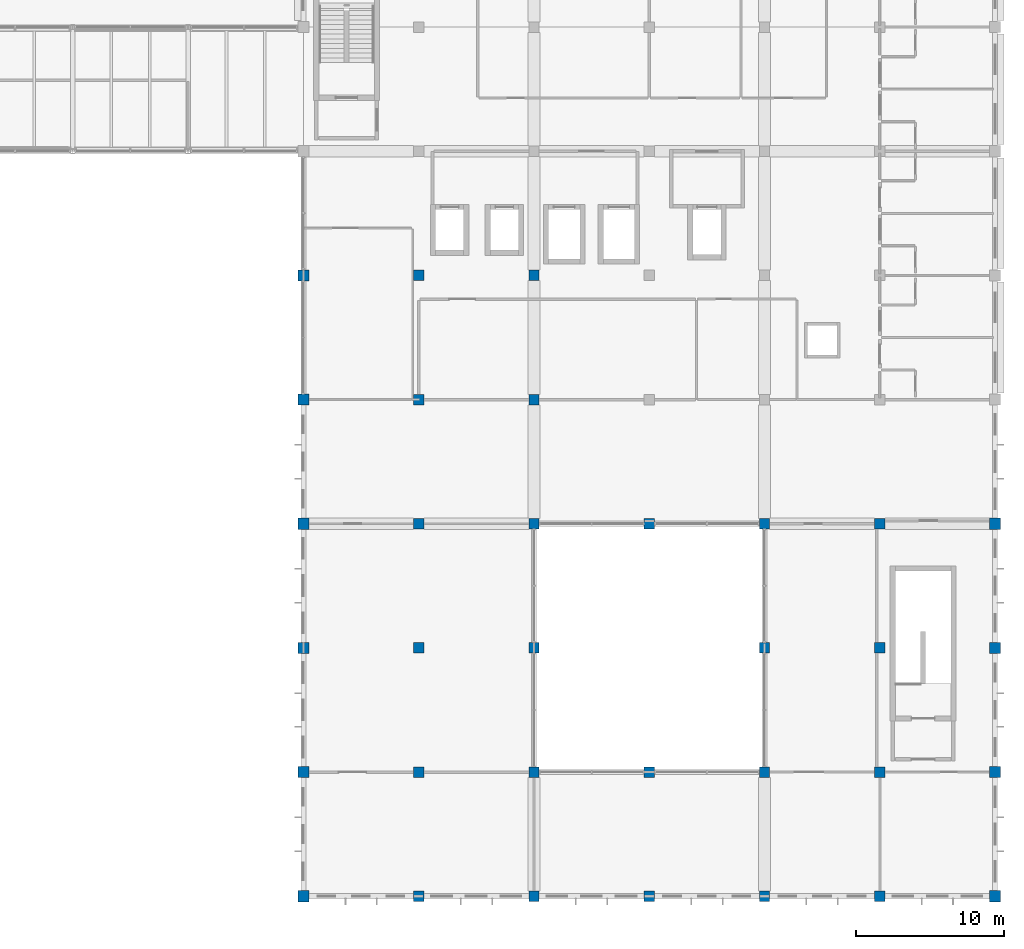
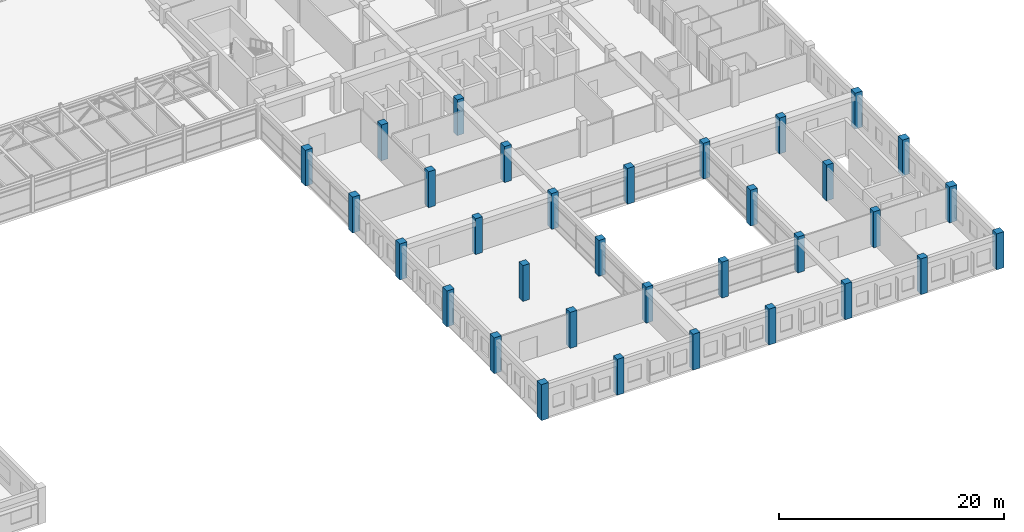
# One storey, part 3 of 72: 33 columns.
"""IFC4 building model written with IfcOpenShell, lengths in metres."""

from ifc_helpers import new_model, si_unit, direction, frame, origin, origin_2d, place, context, subcontext, project, spatial, rectangle, extrude, material, material_profile, profile_set, type_object, element, save


model = new_model("IFC4")

# Units and contexts
model_context = context("Model", 3, precision=1e-05, world=origin(), true_north=direction((0.0, 1.0)))
body_context = subcontext(model_context, "Body", "Model", "MODEL_VIEW")
ifc_project = project(units=[si_unit("LENGTHUNIT", "METRE"), si_unit("AREAUNIT", "SQUARE_METRE"), si_unit("VOLUMEUNIT", "CUBIC_METRE"), si_unit("PLANEANGLEUNIT", "RADIAN"), si_unit("MASSUNIT", "GRAM", prefix="KILO"), si_unit("THERMODYNAMICTEMPERATUREUNIT", "KELVIN"), si_unit("POWERUNIT", "WATT")], contexts=[model_context])

# Site, building, storey
site_placement = place(None, origin())
site = spatial("IfcSite", under=ifc_project, at=site_placement, CompositionType="ELEMENT")
building_placement = place(site_placement, origin())
building = spatial("IfcBuilding", under=site, at=building_placement, Name="Srebrne Nadtorze General Hospital", CompositionType="ELEMENT")
storey_placement = place(building_placement, frame((0.0, 0.0, 22.199951171875)))
storey = spatial("IfcBuildingStorey", under=building, at=storey_placement, Name="L05", CompositionType="ELEMENT", Elevation=22.199951171875)

# Columns
ifc_material_1 = material(Name="Concrete C40/50", Category="concrete")
ifc_material_profile_1 = material_profile(ifc_material_1, rectangle(XDim=0.699951171875, YDim=0.699951171875, at=origin_2d()), Name="RC-COL-700x700")
ifc_profile_set_1 = profile_set([ifc_material_profile_1], Name="Concrete C40/50")
column_type_1 = type_object("IfcColumnType", Name="Reinforced concrete column 700x700", PredefinedType="COLUMN", material=ifc_profile_set_1)
for number, where, z_axis, x_axis, name in (
    (1, (109.199951171875, 0.0, 0.0), (0.0, 0.0, 1.0), (1.0, 0.0, 0.0), "Column CL-L05-15-A"),
    (2, (109.199951171875, 8.39990234375, 0.0), (0.0, 0.0, 1.0), (1.0, 0.0, 0.0), "Column CL-L05-15-B"),
    (3, (109.199951171875, 16.800048828125, 0.0), (0.0, 0.0, 1.0), (1.0, 0.0, 0.0), "Column CL-L05-15-C"),
    (4, (109.199951171875, 25.199951171875, 0.0), (0.0, 0.0, 1.0), (1.0, 0.0, 0.0), "Column CL-L05-15-D"),
    (5, (109.199951171875, 33.60009765625, 0.0), (0.0, 0.0, 1.0), (1.0, 0.0, 0.0), "Column CL-L05-15-E"),
    (6, (109.199951171875, 42.0, 0.0), (0.0, 0.0, 1.0), (1.0, 0.0, 0.0), "Column CL-L05-15-F"),
    (7, (117.0, 0.0, 0.0), (0.0, 0.0, 1.0), (1.0, 0.0, 0.0), "Column CL-L05-16-A"),
    (8, (117.0, 8.39990234375, 0.0), (0.0, 0.0, 1.0), (1.0, 0.0, 0.0), "Column CL-L05-16-B"),
    (9, (117.0, 16.800048828125, 0.0), (0.0, 0.0, 1.0), (1.0, 0.0, 0.0), "Column CL-L05-16-C"),
    (10, (117.0, 25.199951171875, 0.0), (0.0, 0.0, 1.0), (1.0, 0.0, 0.0), "Column CL-L05-16-D"),
    (11, (117.0, 33.60009765625, 0.0), (0.0, 0.0, 1.0), (1.0, 0.0, 0.0), "Column CL-L05-16-E"),
    (12, (117.0, 42.0, 0.0), (0.0, 0.0, 1.0), (1.0, 0.0, 0.0), "Column CL-L05-16-F"),
    (13, (124.800048828125, 0.0, 0.0), (0.0, 0.0, 1.0), (1.0, 0.0, 0.0), "Column CL-L05-17-A"),
    (14, (124.800048828125, 8.39990234375, 0.0), (0.0, 0.0, 1.0), (1.0, 0.0, 0.0), "Column CL-L05-17-B"),
    (15, (124.800048828125, 25.199951171875, 0.0), (0.0, 0.0, 1.0), (1.0, 0.0, 0.0), "Column CL-L05-17-D"),
    (16, (132.60009765625, 0.0, 0.0), (0.0, 0.0, 1.0), (1.0, 0.0, 0.0), "Column CL-L05-18-A"),
    (17, (132.60009765625, 8.39990234375, 0.0), (0.0, 0.0, 1.0), (1.0, 0.0, 0.0), "Column CL-L05-18-B"),
    (18, (132.60009765625, 16.800048828125, 0.0), (0.0, 0.0, 1.0), (1.0, 0.0, 0.0), "Column CL-L05-18-C"),
    (19, (132.60009765625, 25.199951171875, 0.0), (0.0, 0.0, 1.0), (1.0, 0.0, 0.0), "Column CL-L05-18-D"),
    (20, (140.39990234375, 0.0, 0.0), (0.0, 0.0, 1.0), (1.0, 0.0, 0.0), "Column CL-L05-19-A"),
    (21, (140.39990234375, 8.39990234375, 0.0), (0.0, 0.0, 1.0), (1.0, 0.0, 0.0), "Column CL-L05-19-B"),
    (22, (140.39990234375, 16.800048828125, 0.0), (0.0, 0.0, 1.0), (1.0, 0.0, 0.0), "Column CL-L05-19-C"),
    (23, (140.39990234375, 25.199951171875, 0.0), (0.0, 0.0, 1.0), (1.0, 0.0, 0.0), "Column CL-L05-19-D"),
):
    element("IfcColumn", number, at=place(storey_placement, frame(where, z_axis=z_axis, x_axis=x_axis)), inside=storey, type_object=column_type_1, Name=name, PredefinedType="COLUMN", context=body_context, shape_type="SweptSolid", body=[
        extrude(rectangle(XDim=0.699951171875, YDim=0.699951171875, at=origin_2d()), origin(), (0.0, 0.0, 1.0), 3.900146484375),
    ])
ifc_material_2 = material(Name="Concrete C40/50", Category="concrete")
ifc_material_profile_2 = material_profile(ifc_material_2, rectangle(XDim=0.75, YDim=0.75, at=origin_2d()), Name="RC-COL-750x750")
ifc_profile_set_2 = profile_set([ifc_material_profile_2], Name="Concrete C40/50")
column_type_2 = type_object("IfcColumnType", Name="Reinforced concrete column 750x750", PredefinedType="COLUMN", material=ifc_profile_set_2)
for number, where, z_axis, x_axis, name in (
    (24, (101.39990234375, 0.0, 0.0), (0.0, 0.0, 1.0), (1.0, 0.0, 0.0), "Column CL-L05-14-A"),
    (25, (101.39990234375, 8.39990234375, 0.0), (0.0, 0.0, 1.0), (1.0, 0.0, 0.0), "Column CL-L05-14-B"),
    (26, (101.39990234375, 16.800048828125, 0.0), (0.0, 0.0, 1.0), (1.0, 0.0, 0.0), "Column CL-L05-14-C"),
    (27, (101.39990234375, 25.199951171875, 0.0), (0.0, 0.0, 1.0), (1.0, 0.0, 0.0), "Column CL-L05-14-D"),
    (28, (101.39990234375, 33.60009765625, 0.0), (0.0, 0.0, 1.0), (1.0, 0.0, 0.0), "Column CL-L05-14-E"),
    (29, (101.39990234375, 42.0, 0.0), (0.0, 0.0, 1.0), (1.0, 0.0, 0.0), "Column CL-L05-14-F"),
    (30, (148.199951171875, 0.0, 0.0), (0.0, 0.0, 1.0), (1.0, 0.0, 0.0), "Column CL-L05-20-A"),
    (31, (148.199951171875, 8.39990234375, 0.0), (0.0, 0.0, 1.0), (1.0, 0.0, 0.0), "Column CL-L05-20-B"),
    (32, (148.199951171875, 16.800048828125, 0.0), (0.0, 0.0, 1.0), (1.0, 0.0, 0.0), "Column CL-L05-20-C"),
    (33, (148.199951171875, 25.199951171875, 0.0), (0.0, 0.0, 1.0), (1.0, 0.0, 0.0), "Column CL-L05-20-D"),
):
    element("IfcColumn", number, at=place(storey_placement, frame(where, z_axis=z_axis, x_axis=x_axis)), inside=storey, type_object=column_type_2, Name=name, PredefinedType="COLUMN", context=body_context, shape_type="SweptSolid", body=[
        extrude(rectangle(XDim=0.75, YDim=0.75, at=origin_2d()), origin(), (0.0, 0.0, 1.0), 3.900146484375),
    ])

save(model, "model.ifc")
